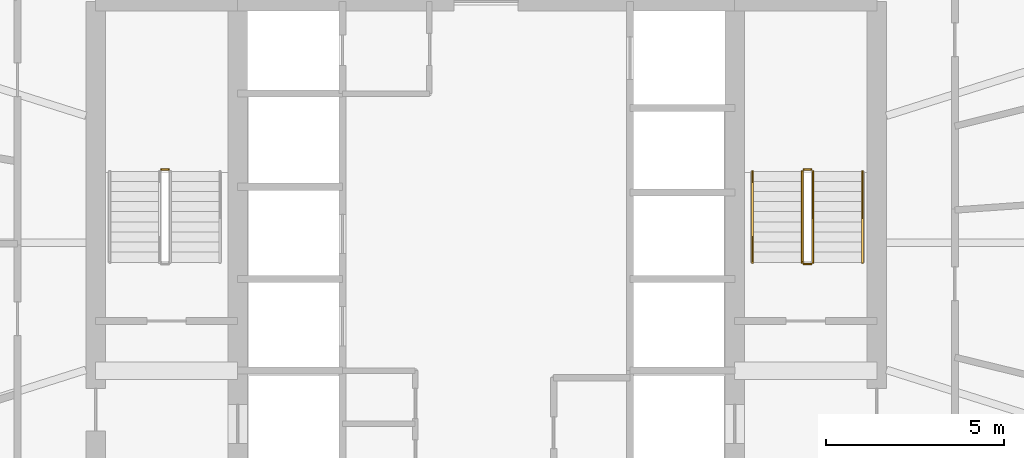
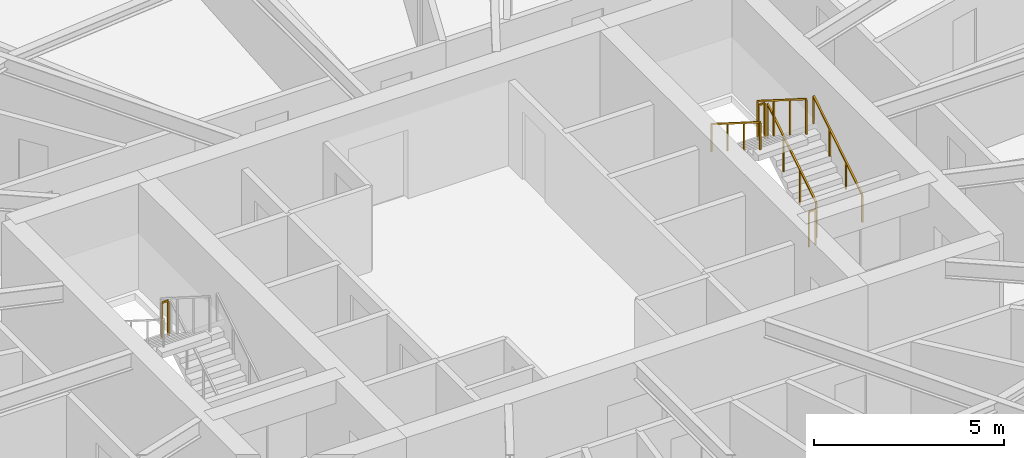
# One storey, part 24 of 24: 7 railings.
"""IFC4 building model written with IfcOpenShell, lengths in metres."""

from ifc_helpers import new_model, si_unit, direction, frame, origin, origin_2d, place, context, subcontext, project, spatial, rectangle, extrude, material, type_object, element, save


model = new_model("IFC4")

# Units and contexts
model_context = context("Model", 3, precision=1e-05, world=origin(), true_north=direction((0.0, 1.0)))
body_context = subcontext(model_context, "Body", "Model", "MODEL_VIEW")
ifc_project = project(units=[si_unit("LENGTHUNIT", "METRE"), si_unit("AREAUNIT", "SQUARE_METRE"), si_unit("VOLUMEUNIT", "CUBIC_METRE"), si_unit("PLANEANGLEUNIT", "RADIAN"), si_unit("MASSUNIT", "GRAM", prefix="KILO")], contexts=[model_context])

# Site, building, storey
site_placement = place(None, origin())
site = spatial("IfcSite", under=ifc_project, at=site_placement, CompositionType="ELEMENT")
building_placement = place(site_placement, origin())
building = spatial("IfcBuilding", under=site, at=building_placement, Name="Sarneth Arch Tower", CompositionType="ELEMENT")
storey_placement = place(building_placement, frame((0.0, 0.0, 91.199951171875)))
storey = spatial("IfcBuildingStorey", under=building, at=storey_placement, Name="L22", CompositionType="ELEMENT", Elevation=91.199951171875)

# Railings
ifc_material_1 = material(Name="Brushed Stainless Steel 304 tubular handrail", Category="steel")
railing_type_1 = type_object("IfcRailingType", Name="RAIL-HANDRAIL-900", PredefinedType="HANDRAIL", material=ifc_material_1)
railing_1_placement = place(storey_placement, frame((58.60009765625, 41.449951171875, 0.179931640625)))
element("IfcRailing", 1, at=railing_1_placement, inside=storey, type_object=railing_type_1, Name="L22 ST-2 stair handrail 1", PredefinedType="HANDRAIL", context=body_context, shape_type="SweptSolid", body=[
    extrude(rectangle(XDim=0.048095703125, YDim=0.048095703125, at=origin_2d()), frame((0.0, 0.0, 0.8759765625), z_axis=(0.0, 0.845465955043, 0.534029323973), x_axis=(-1.0, 0.0, 0.0)), (0.0, 0.0, 1.0), 3.03369140625),
    extrude(rectangle(XDim=0.0419921875, YDim=0.0419921875, at=origin_2d()), origin(), (0.0, 0.0, 1.0), 0.851806640625),
    extrude(rectangle(XDim=0.0419921875, YDim=0.0419921875, at=origin_2d()), frame((0.0, 0.85498046875, 0.5400390625)), (0.0, 0.0, 1.0), 0.851806640625),
    extrude(rectangle(XDim=0.0419921875, YDim=0.0419921875, at=origin_2d()), frame((0.0, 1.7099609375, 1.080078125)), (0.0, 0.0, 1.0), 0.851806640625),
    extrude(rectangle(XDim=0.0419921875, YDim=0.0419921875, at=origin_2d()), frame((0.0, 2.56494140625, 1.6201171875)), (0.0, 0.0, 1.0), 0.851806640625),
])
railing_2_placement = place(storey_placement, frame((55.5, 44.014892578125, 1.97998046875)))
element("IfcRailing", 2, at=railing_2_placement, inside=storey, type_object=railing_type_1, Name="L22 ST-2 stair handrail 2", PredefinedType="HANDRAIL", context=body_context, shape_type="SweptSolid", body=[
    extrude(rectangle(XDim=0.048095703125, YDim=0.048095703125, at=origin_2d()), frame((0.0, 0.0, 0.8759765625), z_axis=(0.0, -0.845465955043, 0.534029323973), x_axis=(1.0, 0.0, 0.0)), (0.0, 0.0, 1.0), 3.03369140625),
    extrude(rectangle(XDim=0.0419921875, YDim=0.0419921875, at=origin_2d()), origin(), (0.0, 0.0, 1.0), 0.851806640625),
    extrude(rectangle(XDim=0.0419921875, YDim=0.0419921875, at=origin_2d()), frame((0.0, -0.85498046875, 0.5400390625)), (0.0, 0.0, 1.0), 0.851806640625),
    extrude(rectangle(XDim=0.0419921875, YDim=0.0419921875, at=origin_2d()), frame((0.0, -1.7099609375, 1.080078125)), (0.0, 0.0, 1.0), 0.851806640625),
    extrude(rectangle(XDim=0.0419921875, YDim=0.0419921875, at=origin_2d()), frame((0.0, -2.56494140625, 1.6201171875)), (0.0, 0.0, 1.0), 0.851806640625),
])
ifc_material_2 = material(Name="Painted Steel S275 stair well guard", Category="steel")
railing_type_2 = type_object("IfcRailingType", Name="RAIL-STAIR-GUARD", PredefinedType="GUARDRAIL", material=ifc_material_2)
railing_3_placement = place(storey_placement, frame((39.050048828125, 44.06494140625, 1.800048828125)))
element("IfcRailing", 3, at=railing_3_placement, inside=storey, type_object=railing_type_2, Name="L22 ST-1 stair guard 2", PredefinedType="GUARDRAIL", context=body_context, shape_type="SweptSolid", body=[
    extrude(rectangle(XDim=0.048095703125, YDim=0.048095703125, at=origin_2d()), frame((0.0, 0.0, 1.1259765625), z_axis=(-1.0, 0.0, 0.0), x_axis=(0.0, -1.0, 0.0)), (0.0, 0.0, 1.0), 0.199951171875),
    extrude(rectangle(XDim=0.0419921875, YDim=0.0419921875, at=origin_2d()), origin(), (0.0, 0.0, 1.0), 1.101806640625),
    extrude(rectangle(XDim=0.0419921875, YDim=0.0419921875, at=origin_2d()), frame((-0.199951171875, 0.0, 0.0)), (0.0, 0.0, 1.0), 1.101806640625),
])
railing_4_placement = place(storey_placement, frame((57.199951171875, 41.449951171875, 0.179931640625)))
element("IfcRailing", 4, at=railing_4_placement, inside=storey, type_object=railing_type_2, Name="L22 ST-2 stair guard 1", PredefinedType="GUARDRAIL", context=body_context, shape_type="SweptSolid", body=[
    extrude(rectangle(XDim=0.048095703125, YDim=0.048095703125, at=origin_2d()), frame((0.0, 0.0, 1.1259765625), z_axis=(0.0, 0.845465955043, 0.534029323973), x_axis=(-1.0, 0.0, 0.0)), (0.0, 0.0, 1.0), 3.03369140625),
    extrude(rectangle(XDim=0.0419921875, YDim=0.0419921875, at=origin_2d()), origin(), (0.0, 0.0, 1.0), 1.101806640625),
    extrude(rectangle(XDim=0.0419921875, YDim=0.0419921875, at=origin_2d()), frame((0.0, 0.85498046875, 0.5400390625)), (0.0, 0.0, 1.0), 1.101806640625),
    extrude(rectangle(XDim=0.0419921875, YDim=0.0419921875, at=origin_2d()), frame((0.0, 1.7099609375, 1.080078125)), (0.0, 0.0, 1.0), 1.101806640625),
    extrude(rectangle(XDim=0.0419921875, YDim=0.0419921875, at=origin_2d()), frame((0.0, 2.56494140625, 1.6201171875)), (0.0, 0.0, 1.0), 1.101806640625),
])
railing_5_placement = place(storey_placement, frame((57.14990234375, 44.06494140625, 1.800048828125)))
element("IfcRailing", 5, at=railing_5_placement, inside=storey, type_object=railing_type_2, Name="L22 ST-2 stair guard 2", PredefinedType="GUARDRAIL", context=body_context, shape_type="SweptSolid", body=[
    extrude(rectangle(XDim=0.048095703125, YDim=0.048095703125, at=origin_2d()), frame((0.0, 0.0, 1.1259765625), z_axis=(-1.0, 0.0, 0.0), x_axis=(0.0, -1.0, 0.0)), (0.0, 0.0, 1.0), 0.199951171875),
    extrude(rectangle(XDim=0.0419921875, YDim=0.0419921875, at=origin_2d()), origin(), (0.0, 0.0, 1.0), 1.101806640625),
    extrude(rectangle(XDim=0.0419921875, YDim=0.0419921875, at=origin_2d()), frame((-0.199951171875, 0.0, 0.0)), (0.0, 0.0, 1.0), 1.101806640625),
])
railing_6_placement = place(storey_placement, frame((56.89990234375, 44.014892578125, 1.97998046875)))
element("IfcRailing", 6, at=railing_6_placement, inside=storey, type_object=railing_type_2, Name="L22 ST-2 stair guard 3", PredefinedType="GUARDRAIL", context=body_context, shape_type="SweptSolid", body=[
    extrude(rectangle(XDim=0.048095703125, YDim=0.048095703125, at=origin_2d()), frame((0.0, 0.0, 1.1259765625), z_axis=(0.0, -0.845465955043, 0.534029323973), x_axis=(1.0, 0.0, 0.0)), (0.0, 0.0, 1.0), 3.03369140625),
    extrude(rectangle(XDim=0.0419921875, YDim=0.0419921875, at=origin_2d()), origin(), (0.0, 0.0, 1.0), 1.101806640625),
    extrude(rectangle(XDim=0.0419921875, YDim=0.0419921875, at=origin_2d()), frame((0.0, -0.85498046875, 0.5400390625)), (0.0, 0.0, 1.0), 1.101806640625),
    extrude(rectangle(XDim=0.0419921875, YDim=0.0419921875, at=origin_2d()), frame((0.0, -1.7099609375, 1.080078125)), (0.0, 0.0, 1.0), 1.101806640625),
    extrude(rectangle(XDim=0.0419921875, YDim=0.0419921875, at=origin_2d()), frame((0.0, -2.56494140625, 1.6201171875)), (0.0, 0.0, 1.0), 1.101806640625),
])
railing_7_placement = place(storey_placement, frame((57.14990234375, 41.39990234375, 0.0)))
element("IfcRailing", 7, at=railing_7_placement, inside=storey, type_object=railing_type_2, Name="L22 ST-2 stair guard 4", PredefinedType="GUARDRAIL", context=body_context, shape_type="SweptSolid", body=[
    extrude(rectangle(XDim=0.048095703125, YDim=0.048095703125, at=origin_2d()), frame((0.0, 0.0, 1.1259765625), z_axis=(-1.0, 0.0, 0.0), x_axis=(0.0, -1.0, 0.0)), (0.0, 0.0, 1.0), 0.199951171875),
    extrude(rectangle(XDim=0.0419921875, YDim=0.0419921875, at=origin_2d()), origin(), (0.0, 0.0, 1.0), 1.101806640625),
    extrude(rectangle(XDim=0.0419921875, YDim=0.0419921875, at=origin_2d()), frame((-0.199951171875, 0.0, 0.0)), (0.0, 0.0, 1.0), 1.101806640625),
])

save(model, "model.ifc")
